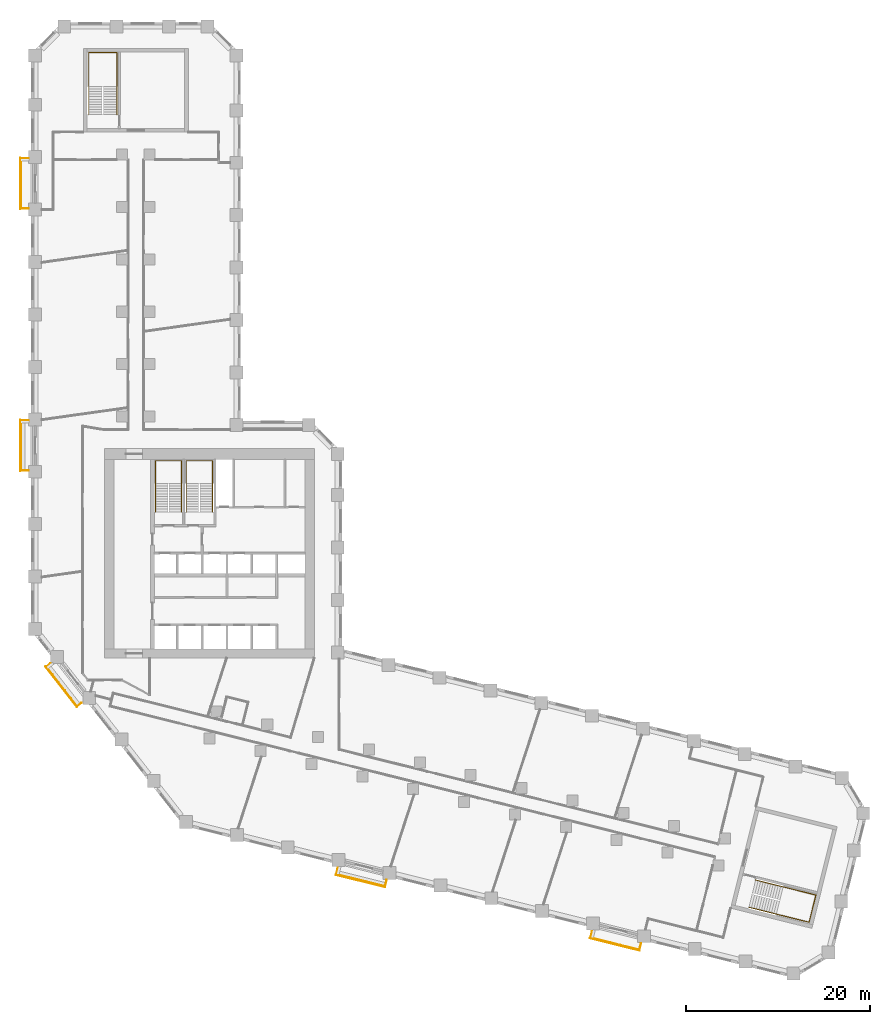
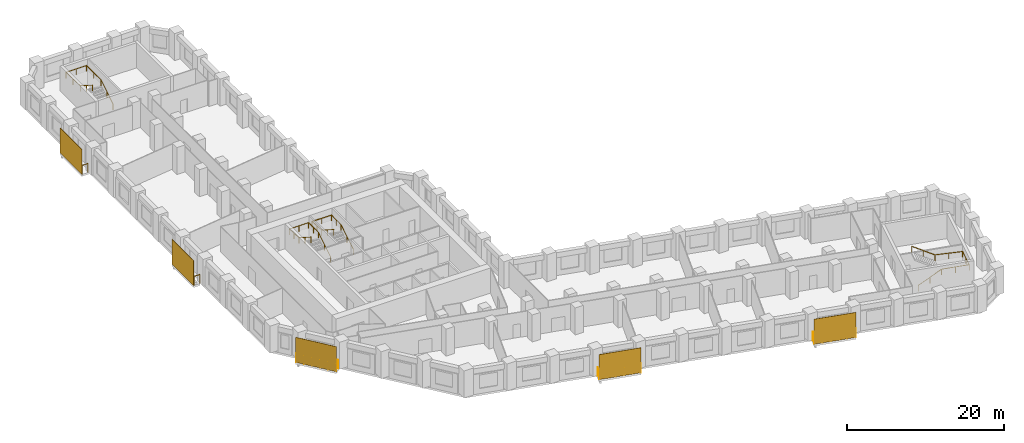
# One storey, part 12 of 12: 9 railings, 5 shading devices.
"""IFC4 building model written with IfcOpenShell, lengths in metres."""

from ifc_helpers import new_model, si_unit, direction, frame, origin, origin_2d, place, context, subcontext, project, spatial, rectangle, circle, extrude, material, layer, layer_set, type_object, element, save


model = new_model("IFC4")

# Units and contexts
model_context = context("Model", 3, precision=1e-05, world=origin(), true_north=direction((0.0, 1.0)))
body_context = subcontext(model_context, "Body", "Model", "MODEL_VIEW")
ifc_project = project(units=[si_unit("LENGTHUNIT", "METRE"), si_unit("AREAUNIT", "SQUARE_METRE"), si_unit("VOLUMEUNIT", "CUBIC_METRE"), si_unit("PLANEANGLEUNIT", "RADIAN"), si_unit("MASSUNIT", "GRAM", prefix="KILO")], contexts=[model_context])

# Site, building, storey
site_placement = place(None, origin())
site = spatial("IfcSite", under=ifc_project, at=site_placement, CompositionType="ELEMENT")
building_placement = place(site_placement, origin())
building = spatial("IfcBuilding", under=site, at=building_placement, Name="Meshkara Civic Tower", CompositionType="ELEMENT")
storey_placement = place(building_placement, frame((0.0, 0.0, 62.39990234375)))
storey = spatial("IfcBuildingStorey", under=building, at=storey_placement, Name="L13", CompositionType="ELEMENT", Elevation=62.39990234375)

# Railings
ifc_material_1 = material(Name="Steel S355", Category="steel")
railing_type_1 = type_object("IfcRailingType", Name="BALUSTRADE GUARD 1400", PredefinedType="BALUSTRADE", material=ifc_material_1)
for number, where, name in (
    (1, (-0.25, 68.43505859375, 0.0), "Balcony guard"),
    (2, (-0.25, 39.93505859375, 0.0), "Balcony guard"),
):
    element("IfcRailing", number, at=place(storey_placement, frame(where)), inside=storey, type_object=railing_type_1, Name=name, PredefinedType="BALUSTRADE", context=body_context, shape_type="SweptSolid", body=[
        extrude(circle(Radius=0.02392578125, at=origin_2d()), frame((0.0, 0.0, 1.3759765625), z_axis=(-1.0, 0.0, 0.0), x_axis=(0.0, -1.0, 0.0)), (0.0, 0.0, 1.0), 0.860107421875),
        extrude(circle(Radius=0.02392578125, at=origin_2d()), frame((-0.860107421875, 0.0, 1.3759765625), z_axis=(0.0, -1.0, 0.0), x_axis=(1.0, 0.0, 0.0)), (0.0, 0.0, 1.0), 5.4599609375),
        extrude(circle(Radius=0.02392578125, at=origin_2d()), frame((-0.860107421875, -5.4599609375, 1.3759765625), z_axis=(1.0, 0.0, 0.0), x_axis=(0.0, 1.0, 0.0)), (0.0, 0.0, 1.0), 0.860107421875),
        extrude(circle(Radius=0.02099609375, at=origin_2d()), origin(), (0.0, 0.0, 1.0), 1.351806640625),
        extrude(circle(Radius=0.02099609375, at=origin_2d()), frame((-0.860107421875, 0.0, 0.0)), (0.0, 0.0, 1.0), 1.351806640625),
        extrude(circle(Radius=0.02099609375, at=origin_2d()), frame((-0.860107421875, -1.092041015625, 0.0)), (0.0, 0.0, 1.0), 1.351806640625),
        extrude(circle(Radius=0.02099609375, at=origin_2d()), frame((-0.860107421875, -2.18408203125, 0.0)), (0.0, 0.0, 1.0), 1.351806640625),
        extrude(circle(Radius=0.02099609375, at=origin_2d()), frame((-0.860107421875, -3.27587890625, 0.0)), (0.0, 0.0, 1.0), 1.351806640625),
        extrude(circle(Radius=0.02099609375, at=origin_2d()), frame((-0.860107421875, -4.367919921875, 0.0)), (0.0, 0.0, 1.0), 1.351806640625),
        extrude(circle(Radius=0.02099609375, at=origin_2d()), frame((-0.860107421875, -5.4599609375, 0.0)), (0.0, 0.0, 1.0), 1.351806640625),
        extrude(circle(Radius=0.02099609375, at=origin_2d()), frame((0.0, -5.4599609375, 0.0)), (0.0, 0.0, 1.0), 1.351806640625),
    ])
railing_1_placement = place(storey_placement, frame((2.114013671875, 13.530029296875, 0.0)))
element("IfcRailing", 3, at=railing_1_placement, inside=storey, type_object=railing_type_1, Name="Balcony guard", PredefinedType="BALUSTRADE", context=body_context, shape_type="SweptSolid", body=[
    extrude(circle(Radius=0.02392578125, at=origin_2d()), frame((0.0, 0.0, 1.3759765625), z_axis=(-0.787665480528, -0.616103149469, 0.0), x_axis=(0.616103149469, -0.787665480528, 0.0)), (0.0, 0.0, 1.0), 0.57763671875),
    extrude(circle(Radius=0.02392578125, at=origin_2d()), frame((-0.455078125, -0.35595703125, 1.3759765625), z_axis=(0.615573755741, -0.788079279795, 0.0), x_axis=(0.788079279795, 0.615573755741, 0.0)), (0.0, 0.0, 1.0), 5.460205078125),
    extrude(circle(Radius=0.02392578125, at=origin_2d()), frame((2.906005859375, -4.658935546875, 1.3759765625), z_axis=(0.787665480528, 0.616103149469, 0.0), x_axis=(-0.616103149469, 0.787665480528, 0.0)), (0.0, 0.0, 1.0), 0.57763671875),
    extrude(circle(Radius=0.02099609375, at=origin_2d()), origin(), (0.0, 0.0, 1.0), 1.351806640625),
    extrude(circle(Radius=0.02099609375, at=origin_2d()), frame((-0.455078125, -0.35595703125, 0.0)), (0.0, 0.0, 1.0), 1.351806640625),
    extrude(circle(Radius=0.02099609375, at=origin_2d()), frame((0.217041015625, -1.216552734375, 0.0)), (0.0, 0.0, 1.0), 1.351806640625),
    extrude(circle(Radius=0.02099609375, at=origin_2d()), frame((0.889404296875, -2.0771484375, 0.0)), (0.0, 0.0, 1.0), 1.351806640625),
    extrude(circle(Radius=0.02099609375, at=origin_2d()), frame((1.5615234375, -2.937744140625, 0.0)), (0.0, 0.0, 1.0), 1.351806640625),
    extrude(circle(Radius=0.02099609375, at=origin_2d()), frame((2.23388671875, -3.79833984375, 0.0)), (0.0, 0.0, 1.0), 1.351806640625),
    extrude(circle(Radius=0.02099609375, at=origin_2d()), frame((2.906005859375, -4.658935546875, 0.0)), (0.0, 0.0, 1.0), 1.351806640625),
    extrude(circle(Radius=0.02099609375, at=origin_2d()), frame((3.361083984375, -4.302978515625, 0.0)), (0.0, 0.0, 1.0), 1.351806640625),
])
railing_2_placement = place(storey_placement, frame((33.35400390625, -8.72705078125, 0.0)))
element("IfcRailing", 4, at=railing_2_placement, inside=storey, type_object=railing_type_1, Name="Balcony guard", PredefinedType="BALUSTRADE", context=body_context, shape_type="SweptSolid", body=[
    extrude(circle(Radius=0.02392578125, at=origin_2d()), frame((0.0, 0.0, 1.3759765625), z_axis=(-0.242050887106, -0.970263555974, 0.0), x_axis=(0.970263555974, -0.242050887106, 0.0)), (0.0, 0.0, 1.0), 0.711181640625),
    extrude(circle(Radius=0.02392578125, at=origin_2d()), frame((-0.172119140625, -0.68994140625, 1.3759765625), z_axis=(0.970292231073, -0.24193591366, 0.0), x_axis=(0.24193591366, 0.970292231073, 0.0)), (0.0, 0.0, 1.0), 5.460205078125),
    extrude(circle(Radius=0.02392578125, at=origin_2d()), frame((5.1259765625, -2.010986328125, 1.3759765625), z_axis=(0.242050887106, 0.970263555974, 0.0), x_axis=(-0.970263555974, 0.242050887106, 0.0)), (0.0, 0.0, 1.0), 0.711181640625),
    extrude(circle(Radius=0.02099609375, at=origin_2d()), origin(), (0.0, 0.0, 1.0), 1.351806640625),
    extrude(circle(Radius=0.02099609375, at=origin_2d()), frame((-0.172119140625, -0.68994140625, 0.0)), (0.0, 0.0, 1.0), 1.351806640625),
    extrude(circle(Radius=0.02099609375, at=origin_2d()), frame((0.887451171875, -0.9541015625, 0.0)), (0.0, 0.0, 1.0), 1.351806640625),
    extrude(circle(Radius=0.02099609375, at=origin_2d()), frame((1.947021484375, -1.21826171875, 0.0)), (0.0, 0.0, 1.0), 1.351806640625),
    extrude(circle(Radius=0.02099609375, at=origin_2d()), frame((3.0068359375, -1.482666015625, 0.0)), (0.0, 0.0, 1.0), 1.351806640625),
    extrude(circle(Radius=0.02099609375, at=origin_2d()), frame((4.06640625, -1.746826171875, 0.0)), (0.0, 0.0, 1.0), 1.351806640625),
    extrude(circle(Radius=0.02099609375, at=origin_2d()), frame((5.1259765625, -2.010986328125, 0.0)), (0.0, 0.0, 1.0), 1.351806640625),
    extrude(circle(Radius=0.02099609375, at=origin_2d()), frame((5.298095703125, -1.321044921875, 0.0)), (0.0, 0.0, 1.0), 1.351806640625),
])
railing_3_placement = place(storey_placement, frame((61.008056640625, -15.6220703125, 0.0)))
element("IfcRailing", 5, at=railing_3_placement, inside=storey, type_object=railing_type_1, Name="Balcony guard", PredefinedType="BALUSTRADE", context=body_context, shape_type="SweptSolid", body=[
    extrude(circle(Radius=0.02392578125, at=origin_2d()), frame((0.0, 0.0, 1.3759765625), z_axis=(-0.242050887106, -0.970263555974, 0.0), x_axis=(0.970263555974, -0.242050887106, 0.0)), (0.0, 0.0, 1.0), 0.711181640625),
    extrude(circle(Radius=0.02392578125, at=origin_2d()), frame((-0.172119140625, -0.68994140625, 1.3759765625), z_axis=(0.970281759871, -0.241977904902, 0.0), x_axis=(0.241977904902, 0.970281759871, 0.0)), (0.0, 0.0, 1.0), 5.45947265625),
    extrude(circle(Radius=0.02392578125, at=origin_2d()), frame((5.125, -2.010986328125, 1.3759765625), z_axis=(0.241325582248, 0.970444209294, 0.0), x_axis=(-0.970444209294, 0.241325582248, 0.0)), (0.0, 0.0, 1.0), 0.712158203125),
    extrude(circle(Radius=0.02099609375, at=origin_2d()), origin(), (0.0, 0.0, 1.0), 1.351806640625),
    extrude(circle(Radius=0.02099609375, at=origin_2d()), frame((-0.172119140625, -0.68994140625, 0.0)), (0.0, 0.0, 1.0), 1.351806640625),
    extrude(circle(Radius=0.02099609375, at=origin_2d()), frame((0.88720703125, -0.9541015625, 0.0)), (0.0, 0.0, 1.0), 1.351806640625),
    extrude(circle(Radius=0.02099609375, at=origin_2d()), frame((1.94677734375, -1.21826171875, 0.0)), (0.0, 0.0, 1.0), 1.351806640625),
    extrude(circle(Radius=0.02099609375, at=origin_2d()), frame((3.006103515625, -1.482666015625, 0.0)), (0.0, 0.0, 1.0), 1.351806640625),
    extrude(circle(Radius=0.02099609375, at=origin_2d()), frame((4.065673828125, -1.746826171875, 0.0)), (0.0, 0.0, 1.0), 1.351806640625),
    extrude(circle(Radius=0.02099609375, at=origin_2d()), frame((5.125, -2.010986328125, 0.0)), (0.0, 0.0, 1.0), 1.351806640625),
    extrude(circle(Radius=0.02099609375, at=origin_2d()), frame((5.296875, -1.31982421875, 0.0)), (0.0, 0.0, 1.0), 1.351806640625),
])

# Shading devices
ifc_material_2 = material(Name="Perforated bronze anodised aluminium sheet", Category="aluminium")
ifc_layer = layer(ifc_material_2, 0.0400390625)
ifc_layer_set = layer_set([ifc_layer], Name="PERFORATED BRONZE SCREEN")
shading_device_type = type_object("IfcShadingDeviceType", Name="PERFORATED BRONZE SCREEN", PredefinedType="USERDEFINED", material=ifc_layer_set)
for number, where, z_axis, x_axis, name in (
    (6, (-1.179931640625, 65.705078125, 0.000244140625), (0.0, 0.0, 1.0), (0.0, -1.0, 0.0), "Balcony screen"),
    (7, (-1.179931640625, 37.205078125, 0.000244140625), (0.0, 0.0, 1.0), (0.0, -1.0, 0.0), "Balcony screen"),
    (8, (3.283935546875, 10.97998046875, 0.000244140625), (0.0, 0.0, 1.0), (0.615661475326, -0.788010753607, 0.0), "Balcony screen"),
    (9, (35.81396484375, -10.14599609375, 0.000244140625), (0.0, 0.0, 1.0), (0.970295726276, -0.2419218956, 0.0), "Balcony screen"),
):
    element("IfcShadingDevice", number, at=place(storey_placement, frame(where, z_axis=z_axis, x_axis=x_axis)), inside=storey, type_object=shading_device_type, Name=name, ObjectType="SCREEN", PredefinedType="USERDEFINED", context=body_context, shape_type="SweptSolid", body=[
        extrude(rectangle(XDim=5.580078125, YDim=0.0400390625, at=origin_2d()), origin(), (0.0, 0.0, 1.0), 3.89990234375),
    ])
shading_device_placement = place(storey_placement, frame((63.468017578125, -17.0400390625, 0.000244140625), z_axis=(0.0, 0.0, 1.0), x_axis=(0.970295726276, -0.2419218956, 0.0)))
element("IfcShadingDevice", 10, at=shading_device_placement, inside=storey, type_object=shading_device_type, Name="Balcony screen", ObjectType="SCREEN", PredefinedType="USERDEFINED", context=body_context, shape_type="SweptSolid", body=[
    extrude(rectangle(XDim=5.5791015625, YDim=0.0400390625, at=origin_2d()), origin(), (0.0, 0.0, 1.0), 3.89990234375),
])

# Railings
ifc_material_3 = material(Name="Steel handrail", Category="steel")
railing_type_2 = type_object("IfcRailingType", Name="Stair handrail 900", PredefinedType="HANDRAIL", material=ifc_material_3)
railing_4_placement = place(storey_placement, frame((16.375, 30.0, 0.175048828125)))
element("IfcRailing", 11, at=railing_4_placement, inside=storey, type_object=railing_type_2, Name="L13 ST1 stair handrail 1", PredefinedType="HANDRAIL", context=body_context, shape_type="SweptSolid", body=[
    extrude(circle(Radius=0.02392578125, at=origin_2d()), frame((0.0, 0.0, 0.8759765625), z_axis=(0.0, 0.847998304005, 0.529998940003), x_axis=(-1.0, 0.0, 0.0)), (0.0, 0.0, 1.0), 3.632080078125),
    extrude(circle(Radius=0.02392578125, at=origin_2d()), frame((0.0, 3.080078125, 2.80078125), z_axis=(0.0, 1.0, 0.0), x_axis=(-1.0, 0.0, 0.0)), (0.0, 0.0, 1.0), 2.469970703125),
    extrude(circle(Radius=0.02392578125, at=origin_2d()), frame((0.0, 5.550048828125, 2.80078125), z_axis=(-1.0, 0.0, 0.0), x_axis=(0.0, -1.0, 0.0)), (0.0, 0.0, 1.0), 2.85009765625),
    extrude(circle(Radius=0.02392578125, at=origin_2d()), frame((-2.85009765625, 5.550048828125, 2.80078125), z_axis=(0.0, -0.997498084828, 0.070693498747), x_axis=(1.0, 0.0, 0.0)), (0.0, 0.0, 1.0), 2.47607421875),
    extrude(circle(Radius=0.02392578125, at=origin_2d()), frame((-2.85009765625, 3.080078125, 2.97607421875), z_axis=(0.0, -0.847998304005, 0.529998940003), x_axis=(1.0, 0.0, 0.0)), (0.0, 0.0, 1.0), 3.632080078125),
    extrude(circle(Radius=0.02099609375, at=origin_2d()), origin(), (0.0, 0.0, 1.0), 0.851806640625),
    extrude(circle(Radius=0.02099609375, at=origin_2d()), frame((0.0, 1.5400390625, 0.96240234375)), (0.0, 0.0, 1.0), 0.851806640625),
    extrude(circle(Radius=0.02099609375, at=origin_2d()), frame((0.0, 3.080078125, 1.925048828125)), (0.0, 0.0, 1.0), 0.851806640625),
    extrude(circle(Radius=0.02099609375, at=origin_2d()), frame((0.0, 4.31494140625, 1.925048828125)), (0.0, 0.0, 1.0), 0.851806640625),
    extrude(circle(Radius=0.02099609375, at=origin_2d()), frame((0.0, 5.550048828125, 1.925048828125)), (0.0, 0.0, 1.0), 0.851806640625),
    extrude(circle(Radius=0.02099609375, at=origin_2d()), frame((-1.425048828125, 5.550048828125, 1.925048828125)), (0.0, 0.0, 1.0), 0.851806640625),
    extrude(circle(Radius=0.02099609375, at=origin_2d()), frame((-2.85009765625, 5.550048828125, 1.925048828125)), (0.0, 0.0, 1.0), 0.851806640625),
    extrude(circle(Radius=0.02099609375, at=origin_2d()), frame((-2.85009765625, 4.31494140625, 2.0126953125)), (0.0, 0.0, 1.0), 0.851806640625),
    extrude(circle(Radius=0.02099609375, at=origin_2d()), frame((-2.85009765625, 3.080078125, 2.10009765625)), (0.0, 0.0, 1.0), 0.851806640625),
    extrude(circle(Radius=0.02099609375, at=origin_2d()), frame((-2.85009765625, 1.5400390625, 3.0625)), (0.0, 0.0, 1.0), 0.851806640625),
    extrude(circle(Radius=0.02099609375, at=origin_2d()), frame((-2.85009765625, 0.0, 4.025146484375)), (0.0, 0.0, 1.0), 0.851806640625),
])
railing_5_placement = place(storey_placement, frame((19.72509765625, 30.0, 0.175048828125)))
element("IfcRailing", 12, at=railing_5_placement, inside=storey, type_object=railing_type_2, Name="L13 ST2 stair handrail 1", PredefinedType="HANDRAIL", context=body_context, shape_type="SweptSolid", body=[
    extrude(circle(Radius=0.02392578125, at=origin_2d()), frame((0.0, 0.0, 0.8759765625), z_axis=(0.0, 0.847998304005, 0.529998940003), x_axis=(-1.0, 0.0, 0.0)), (0.0, 0.0, 1.0), 3.632080078125),
    extrude(circle(Radius=0.02392578125, at=origin_2d()), frame((0.0, 3.080078125, 2.80078125), z_axis=(0.0, 1.0, 0.0), x_axis=(-1.0, 0.0, 0.0)), (0.0, 0.0, 1.0), 2.469970703125),
    extrude(circle(Radius=0.02392578125, at=origin_2d()), frame((0.0, 5.550048828125, 2.80078125), z_axis=(-1.0, 0.0, 0.0), x_axis=(0.0, -1.0, 0.0)), (0.0, 0.0, 1.0), 2.85009765625),
    extrude(circle(Radius=0.02392578125, at=origin_2d()), frame((-2.85009765625, 5.550048828125, 2.80078125), z_axis=(0.0, -0.997498084828, 0.070693498747), x_axis=(1.0, 0.0, 0.0)), (0.0, 0.0, 1.0), 2.47607421875),
    extrude(circle(Radius=0.02392578125, at=origin_2d()), frame((-2.85009765625, 3.080078125, 2.97607421875), z_axis=(0.0, -0.847998304005, 0.529998940003), x_axis=(1.0, 0.0, 0.0)), (0.0, 0.0, 1.0), 3.632080078125),
    extrude(circle(Radius=0.02099609375, at=origin_2d()), origin(), (0.0, 0.0, 1.0), 0.851806640625),
    extrude(circle(Radius=0.02099609375, at=origin_2d()), frame((0.0, 1.5400390625, 0.96240234375)), (0.0, 0.0, 1.0), 0.851806640625),
    extrude(circle(Radius=0.02099609375, at=origin_2d()), frame((0.0, 3.080078125, 1.925048828125)), (0.0, 0.0, 1.0), 0.851806640625),
    extrude(circle(Radius=0.02099609375, at=origin_2d()), frame((0.0, 4.31494140625, 1.925048828125)), (0.0, 0.0, 1.0), 0.851806640625),
    extrude(circle(Radius=0.02099609375, at=origin_2d()), frame((0.0, 5.550048828125, 1.925048828125)), (0.0, 0.0, 1.0), 0.851806640625),
    extrude(circle(Radius=0.02099609375, at=origin_2d()), frame((-1.425048828125, 5.550048828125, 1.925048828125)), (0.0, 0.0, 1.0), 0.851806640625),
    extrude(circle(Radius=0.02099609375, at=origin_2d()), frame((-2.85009765625, 5.550048828125, 1.925048828125)), (0.0, 0.0, 1.0), 0.851806640625),
    extrude(circle(Radius=0.02099609375, at=origin_2d()), frame((-2.85009765625, 4.31494140625, 2.0126953125)), (0.0, 0.0, 1.0), 0.851806640625),
    extrude(circle(Radius=0.02099609375, at=origin_2d()), frame((-2.85009765625, 3.080078125, 2.10009765625)), (0.0, 0.0, 1.0), 0.851806640625),
    extrude(circle(Radius=0.02099609375, at=origin_2d()), frame((-2.85009765625, 1.5400390625, 3.0625)), (0.0, 0.0, 1.0), 0.851806640625),
    extrude(circle(Radius=0.02099609375, at=origin_2d()), frame((-2.85009765625, 0.0, 4.025146484375)), (0.0, 0.0, 1.0), 0.851806640625),
])
railing_6_placement = place(storey_placement, frame((9.324951171875, 73.169921875, 0.175048828125)))
element("IfcRailing", 13, at=railing_6_placement, inside=storey, type_object=railing_type_2, Name="L13 ESA1 stair handrail 1", PredefinedType="HANDRAIL", context=body_context, shape_type="SweptSolid", body=[
    extrude(circle(Radius=0.02392578125, at=origin_2d()), frame((0.0, 0.0, 0.8759765625), z_axis=(0.0, 0.847998304005, 0.529998940003), x_axis=(-1.0, 0.0, 0.0)), (0.0, 0.0, 1.0), 3.632080078125),
    extrude(circle(Radius=0.02392578125, at=origin_2d()), frame((0.0, 3.080078125, 2.80078125), z_axis=(0.0, 1.0, 0.0), x_axis=(-1.0, 0.0, 0.0)), (0.0, 0.0, 1.0), 3.669921875),
    extrude(circle(Radius=0.02392578125, at=origin_2d()), frame((0.0, 6.75, 2.80078125), z_axis=(-1.0, 0.0, 0.0), x_axis=(0.0, -1.0, 0.0)), (0.0, 0.0, 1.0), 3.050048828125),
    extrude(circle(Radius=0.02392578125, at=origin_2d()), frame((-3.050048828125, 6.75, 2.80078125), z_axis=(0.0, -0.998864376167, 0.047644076484), x_axis=(1.0, 0.0, 0.0)), (0.0, 0.0, 1.0), 3.674072265625),
    extrude(circle(Radius=0.02392578125, at=origin_2d()), frame((-3.050048828125, 3.080078125, 2.97607421875), z_axis=(0.0, -0.847998304005, 0.529998940003), x_axis=(1.0, 0.0, 0.0)), (0.0, 0.0, 1.0), 3.632080078125),
    extrude(circle(Radius=0.02099609375, at=origin_2d()), origin(), (0.0, 0.0, 1.0), 0.851806640625),
    extrude(circle(Radius=0.02099609375, at=origin_2d()), frame((0.0, 1.5400390625, 0.96240234375)), (0.0, 0.0, 1.0), 0.851806640625),
    extrude(circle(Radius=0.02099609375, at=origin_2d()), frame((0.0, 3.080078125, 1.925048828125)), (0.0, 0.0, 1.0), 0.851806640625),
    extrude(circle(Radius=0.02099609375, at=origin_2d()), frame((0.0, 4.9150390625, 1.925048828125)), (0.0, 0.0, 1.0), 0.851806640625),
    extrude(circle(Radius=0.02099609375, at=origin_2d()), frame((0.0, 6.75, 1.925048828125)), (0.0, 0.0, 1.0), 0.851806640625),
    extrude(circle(Radius=0.02099609375, at=origin_2d()), frame((-1.52490234375, 6.75, 1.925048828125)), (0.0, 0.0, 1.0), 0.851806640625),
    extrude(circle(Radius=0.02099609375, at=origin_2d()), frame((-3.050048828125, 6.75, 1.925048828125)), (0.0, 0.0, 1.0), 0.851806640625),
    extrude(circle(Radius=0.02099609375, at=origin_2d()), frame((-3.050048828125, 4.9150390625, 2.0126953125)), (0.0, 0.0, 1.0), 0.851806640625),
    extrude(circle(Radius=0.02099609375, at=origin_2d()), frame((-3.050048828125, 3.080078125, 2.10009765625)), (0.0, 0.0, 1.0), 0.851806640625),
    extrude(circle(Radius=0.02099609375, at=origin_2d()), frame((-3.050048828125, 1.5400390625, 3.0625)), (0.0, 0.0, 1.0), 0.851806640625),
    extrude(circle(Radius=0.02099609375, at=origin_2d()), frame((-3.050048828125, 0.0, 4.025146484375)), (0.0, 0.0, 1.0), 0.851806640625),
])
railing_7_placement = place(storey_placement, frame((78.045166015625, -12.99169921875, 0.175048828125)))
element("IfcRailing", 14, at=railing_7_placement, inside=storey, type_object=railing_type_2, Name="L13 ESB1 stair handrail 1", PredefinedType="HANDRAIL", context=body_context, shape_type="SweptSolid", body=[
    extrude(circle(Radius=0.02392578125, at=origin_2d()), frame((0.0, 0.0, 0.8759765625), z_axis=(0.822781968105, -0.205275396666, 0.529992306062), x_axis=(0.242069343812, 0.970258951408, 0.0)), (0.0, 0.0, 1.0), 3.63232421875),
    extrude(circle(Radius=0.02392578125, at=origin_2d()), frame((2.988525390625, -0.74560546875, 2.80078125), z_axis=(0.970255876456, -0.242081668456, 0.0), x_axis=(0.242081668456, 0.970255876456, 0.0)), (0.0, 0.0, 1.0), 3.669921875),
    extrude(circle(Radius=0.02392578125, at=origin_2d()), frame((6.54931640625, -1.634033203125, 2.80078125), z_axis=(0.242064726708, 0.970260103315, 0.0), x_axis=(-0.970260103315, 0.242064726708, 0.0)), (0.0, 0.0, 1.0), 3.050048828125),
    extrude(circle(Radius=0.02392578125, at=origin_2d()), frame((7.28759765625, 1.3251953125, 2.80078125), z_axis=(-0.969154047904, 0.241806759021, 0.047643706023), x_axis=(-0.242081668456, -0.970255876456, 0.0)), (0.0, 0.0, 1.0), 3.674072265625),
    extrude(circle(Radius=0.02392578125, at=origin_2d()), frame((3.726806640625, 2.213623046875, 2.97607421875), z_axis=(-0.822781968105, 0.205275396666, 0.529992306062), x_axis=(-0.242069343812, -0.970258951408, 0.0)), (0.0, 0.0, 1.0), 3.63232421875),
    extrude(circle(Radius=0.02099609375, at=origin_2d()), origin(), (0.0, 0.0, 1.0), 0.851806640625),
    extrude(circle(Radius=0.02099609375, at=origin_2d()), frame((1.494140625, -0.372802734375, 0.96240234375)), (0.0, 0.0, 1.0), 0.851806640625),
    extrude(circle(Radius=0.02099609375, at=origin_2d()), frame((2.988525390625, -0.74560546875, 1.925048828125)), (0.0, 0.0, 1.0), 0.851806640625),
    extrude(circle(Radius=0.02099609375, at=origin_2d()), frame((4.76904296875, -1.18994140625, 1.925048828125)), (0.0, 0.0, 1.0), 0.851806640625),
    extrude(circle(Radius=0.02099609375, at=origin_2d()), frame((6.54931640625, -1.634033203125, 1.925048828125)), (0.0, 0.0, 1.0), 0.851806640625),
    extrude(circle(Radius=0.02099609375, at=origin_2d()), frame((6.91845703125, -0.154296875, 1.925048828125)), (0.0, 0.0, 1.0), 0.851806640625),
    extrude(circle(Radius=0.02099609375, at=origin_2d()), frame((7.28759765625, 1.3251953125, 1.925048828125)), (0.0, 0.0, 1.0), 0.851806640625),
    extrude(circle(Radius=0.02099609375, at=origin_2d()), frame((5.50732421875, 1.76953125, 2.0126953125)), (0.0, 0.0, 1.0), 0.851806640625),
    extrude(circle(Radius=0.02099609375, at=origin_2d()), frame((3.726806640625, 2.213623046875, 2.10009765625)), (0.0, 0.0, 1.0), 0.851806640625),
    extrude(circle(Radius=0.02099609375, at=origin_2d()), frame((2.232421875, 2.58642578125, 3.0625)), (0.0, 0.0, 1.0), 0.851806640625),
    extrude(circle(Radius=0.02099609375, at=origin_2d()), frame((0.73828125, 2.959228515625, 4.025146484375)), (0.0, 0.0, 1.0), 0.851806640625),
])

save(model, "model.ifc")
